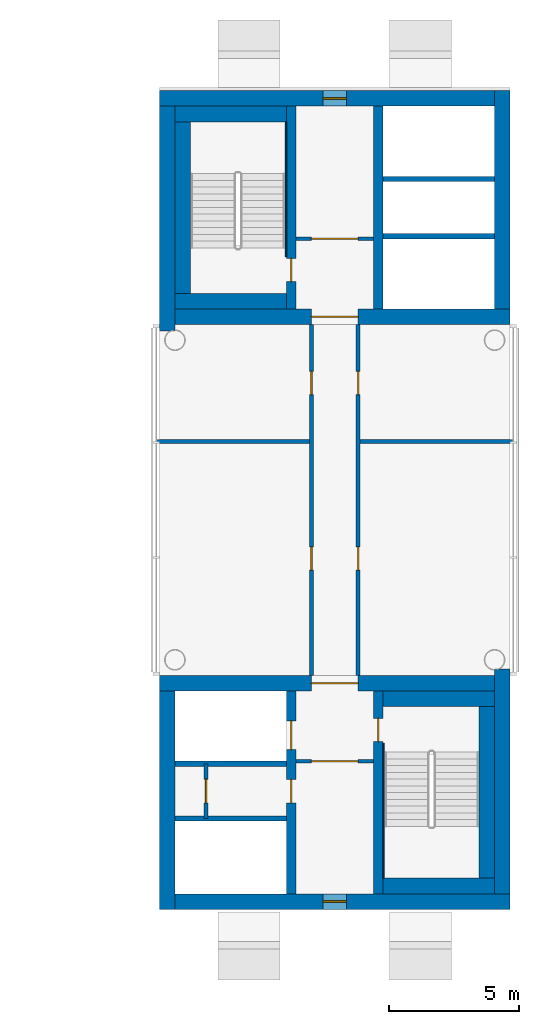
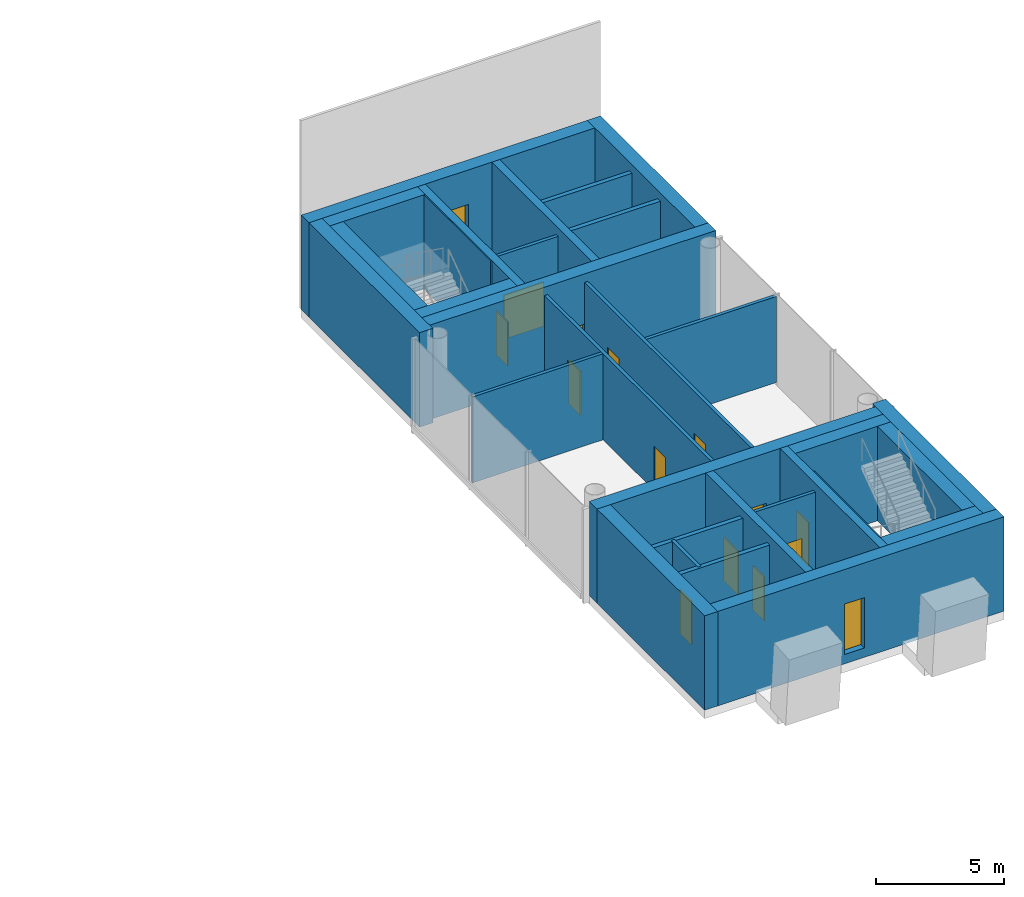
# One storey, part 6 of 11: 31 walls, 13 doors, 2 windows, 15 openings.
"""IFC4 building model written with IfcOpenShell, lengths in metres."""

from ifc_helpers import new_model, si_unit, direction, frame, frame_2d, origin, place, context, subcontext, project, spatial, rectangle, extrude, material, layer, layer_set, type_object, element, fill, save


model = new_model("IFC4")

# Units and contexts
model_context = context("Model", 3, precision=1e-05, world=origin(), true_north=direction((0.0, 1.0)))
body_context = subcontext(model_context, "Body", "Model", "MODEL_VIEW")
ifc_project = project(units=[si_unit("LENGTHUNIT", "METRE"), si_unit("AREAUNIT", "SQUARE_METRE"), si_unit("VOLUMEUNIT", "CUBIC_METRE"), si_unit("PLANEANGLEUNIT", "RADIAN"), si_unit("MASSUNIT", "GRAM", prefix="KILO")], contexts=[model_context])

# Site, building, storey
site_placement = place(None, origin())
site = spatial("IfcSite", under=ifc_project, at=site_placement, CompositionType="ELEMENT")
building_placement = place(site_placement, origin())
building = spatial("IfcBuilding", under=site, at=building_placement, Name="Ipe Terrace Towers", CompositionType="ELEMENT")
storey_placement = place(building_placement, frame((0.0, 0.0, 251.39990234375)))
storey = spatial("IfcBuildingStorey", under=building, at=storey_placement, Name="L69", CompositionType="ELEMENT", Elevation=251.39990234375)

# Wall, opening, door
ifc_material_1 = material(Name="Gypsum board partition", Category="plasterboard")
ifc_layer_1 = layer(ifc_material_1, 0.14990234375)
ifc_layer_set_1 = layer_set([ifc_layer_1], Name="Gypsum board partition 150 mm")
wall_type_1 = type_object("IfcWallType", Name="Gypsum board partition 150 mm", PredefinedType="PARTITIONING", material=ifc_layer_set_1)
wall_1_placement = place(storey_placement, frame((37.5, 10.050048828125, 0.0), z_axis=(0.0, 0.0, 1.0), x_axis=(-1.0, 0.0, 0.0)))
wall_1 = element("IfcWall", 1, at=wall_1_placement, inside=storey, type_object=wall_type_1, Name="Gypsum board partition T2 L69 t2c1-lobby-wall", PredefinedType="PARTITIONING", context=body_context, shape_type="SweptSolid", body=[
    extrude(rectangle(XDim=3.0, YDim=0.14990234375, at=frame_2d((1.5, 0.0))), origin(), (0.0, 0.0, 1.0), 4.10009765625),
])
opening_1_placement = place(wall_1_placement, frame((0.60009765625, 0.0, 0.0)))
opening_1 = element("IfcOpeningElement", 2, at=opening_1_placement, cuts=wall_1, Name="Opening T2C1-VD", PredefinedType="OPENING", context=body_context, shape_type="SweptSolid", body=[
    extrude(rectangle(XDim=1.800048828125, YDim=2.10009765625, at=frame_2d((0.89990234375, 1.050048828125))), frame((0.0, 0.0849609375, 0.0), z_axis=(0.0, -1.0, 0.0), x_axis=(1.0, 0.0, 0.0)), (0.0, 0.0, 1.0), 0.169921875),
])
ifc_material_2 = material(Name="Fire-rated timber door leaf", Category="wood")
door_type_1 = type_object("IfcDoorType", Name="Lobby door 1800 x 2100 FD60", OperationType="NOTDEFINED", PredefinedType="DOOR", material=ifc_material_2)
door_1_placement = place(opening_1_placement, origin())
door_1 = element("IfcDoor", 3, at=door_1_placement, inside=storey, type_object=door_type_1, Name="Lobby door T2C1-VD", OperationType="SINGLE_SWING_LEFT", OverallHeight=2.10009765625, OverallWidth=1.800048828125, PredefinedType="DOOR", context=body_context, shape_type="SweptSolid", body=[
    extrude(rectangle(XDim=1.800048828125, YDim=2.10009765625, at=frame_2d((0.89990234375, 1.050048828125))), frame((0.0, 0.02490234375, 0.0), z_axis=(0.0, -1.0, 0.0), x_axis=(1.0, 0.0, 0.0)), (0.0, 0.0, 1.0), 0.050048828125),
])
fill(opening_1, door_1)

wall_2_placement = place(storey_placement, frame((34.5, -10.050048828125, 0.0), z_axis=(0.0, 0.0, 1.0), x_axis=(1.0, 0.0, 0.0)))
wall_2 = element("IfcWall", 4, at=wall_2_placement, inside=storey, type_object=wall_type_1, Name="Gypsum board partition T2 L69 t2c2-lobby-wall", PredefinedType="PARTITIONING", context=body_context, shape_type="SweptSolid", body=[
    extrude(rectangle(XDim=3.0, YDim=0.14990234375, at=frame_2d((1.5, 0.0))), origin(), (0.0, 0.0, 1.0), 4.10009765625),
])
opening_2_placement = place(wall_2_placement, frame((0.60009765625, 0.0, 0.0)))
opening_2 = element("IfcOpeningElement", 5, at=opening_2_placement, cuts=wall_2, Name="Opening T2C2-VD", PredefinedType="OPENING", context=body_context, shape_type="SweptSolid", body=[
    extrude(rectangle(XDim=1.800048828125, YDim=2.10009765625, at=frame_2d((0.89990234375, 1.050048828125))), frame((0.0, 0.0849609375, 0.0), z_axis=(0.0, -1.0, 0.0), x_axis=(1.0, 0.0, 0.0)), (0.0, 0.0, 1.0), 0.169921875),
])
door_2_placement = place(opening_2_placement, origin())
door_2 = element("IfcDoor", 6, at=door_2_placement, inside=storey, type_object=door_type_1, Name="Lobby door T2C2-VD", OperationType="SINGLE_SWING_LEFT", OverallHeight=2.10009765625, OverallWidth=1.800048828125, PredefinedType="DOOR", context=body_context, shape_type="SweptSolid", body=[
    extrude(rectangle(XDim=1.800048828125, YDim=2.10009765625, at=frame_2d((0.89990234375, 1.050048828125))), frame((0.0, 0.02490234375, 0.0), z_axis=(0.0, -1.0, 0.0), x_axis=(1.0, 0.0, 0.0)), (0.0, 0.0, 1.0), 0.050048828125),
])
fill(opening_2, door_2)

wall_3_placement = place(storey_placement, frame((31.050048828125, -10.14990234375, 0.0), z_axis=(0.0, 0.0, 1.0), x_axis=(0.0, -1.0, 0.0)))
wall_3 = element("IfcWall", 7, at=wall_3_placement, inside=storey, type_object=wall_type_1, Name="Gypsum board partition T2 L69 t2c2-q-back", PredefinedType="PARTITIONING", context=body_context, shape_type="SweptSolid", body=[
    extrude(rectangle(XDim=2.10009765625, YDim=0.14990234375, at=frame_2d((1.050048828125, 0.0))), origin(), (0.0, 0.0, 1.0), 4.10009765625),
])
opening_3_placement = place(wall_3_placement, frame((0.60009765625, 0.0, 0.0)))
opening_3 = element("IfcOpeningElement", 8, at=opening_3_placement, cuts=wall_3, Name="Opening T2C2-RB", PredefinedType="OPENING", context=body_context, shape_type="SweptSolid", body=[
    extrude(rectangle(XDim=0.89990234375, YDim=2.10009765625, at=frame_2d((0.449951171875, 1.050048828125))), frame((0.0, 0.0849609375, 0.0), z_axis=(0.0, -1.0, 0.0), x_axis=(1.0, 0.0, 0.0)), (0.0, 0.0, 1.0), 0.169921875),
])
ifc_material_3 = material(Name="Fire-rated timber door leaf", Category="wood")
door_type_2 = type_object("IfcDoorType", Name="Service door 900 x 2100 FD60", OperationType="NOTDEFINED", PredefinedType="DOOR", material=ifc_material_3)
door_3_placement = place(opening_3_placement, origin())
door_3 = element("IfcDoor", 9, at=door_3_placement, inside=storey, type_object=door_type_2, Name="Service door T2C2-RB", OperationType="SINGLE_SWING_LEFT", OverallHeight=2.10009765625, OverallWidth=0.89990234375, PredefinedType="DOOR", context=body_context, shape_type="SweptSolid", body=[
    extrude(rectangle(XDim=0.89990234375, YDim=2.10009765625, at=frame_2d((0.449951171875, 1.050048828125))), frame((0.0, 0.02490234375, 0.0), z_axis=(0.0, -1.0, 0.0), x_axis=(1.0, 0.0, 0.0)), (0.0, 0.0, 1.0), 0.050048828125),
])
fill(opening_3, door_3)

# Wall, openings, doors
wall_4_placement = place(storey_placement, frame((35.10009765625, -6.75, 0.0), z_axis=(0.0, 0.0, 1.0), x_axis=(0.0, 1.0, 0.0)))
wall_4 = element("IfcWall", 10, at=wall_4_placement, inside=storey, type_object=wall_type_1, Name="Gypsum board partition T2 L69 sp-hub-wp", PredefinedType="PARTITIONING", context=body_context, shape_type="SweptSolid", body=[
    extrude(rectangle(XDim=13.5, YDim=0.14990234375, at=frame_2d((6.75, 0.0))), origin(), (0.0, 0.0, 1.0), 4.10009765625),
])
opening_4_placement = place(wall_4_placement, frame((4.050048828125, 0.0, 0.0)))
opening_4 = element("IfcOpeningElement", 11, at=opening_4_placement, cuts=wall_4, Name="Opening T2-SP-HP1", PredefinedType="OPENING", context=body_context, shape_type="SweptSolid", body=[
    extrude(rectangle(XDim=0.89990234375, YDim=2.10009765625, at=frame_2d((0.449951171875, 1.050048828125))), frame((0.0, 0.0849609375, 0.0), z_axis=(0.0, -1.0, 0.0), x_axis=(1.0, 0.0, 0.0)), (0.0, 0.0, 1.0), 0.169921875),
])
opening_5_placement = place(wall_4_placement, frame((10.800048828125, 0.0, 0.0)))
opening_5 = element("IfcOpeningElement", 12, at=opening_5_placement, cuts=wall_4, Name="Opening T2-SP-HP2", PredefinedType="OPENING", context=body_context, shape_type="SweptSolid", body=[
    extrude(rectangle(XDim=0.89990234375, YDim=2.10009765625, at=frame_2d((0.449951171875, 1.050048828125))), frame((0.0, 0.0849609375, 0.0), z_axis=(0.0, -1.0, 0.0), x_axis=(1.0, 0.0, 0.0)), (0.0, 0.0, 1.0), 0.169921875),
])
door_4_placement = place(opening_4_placement, origin())
door_4 = element("IfcDoor", 13, at=door_4_placement, inside=storey, type_object=door_type_2, Name="Service door T2-SP-HP1", OperationType="SINGLE_SWING_RIGHT", OverallHeight=2.10009765625, OverallWidth=0.89990234375, PredefinedType="DOOR", context=body_context, shape_type="SweptSolid", body=[
    extrude(rectangle(XDim=0.89990234375, YDim=2.10009765625, at=frame_2d((0.449951171875, 1.050048828125))), frame((0.0, 0.02490234375, 0.0), z_axis=(0.0, -1.0, 0.0), x_axis=(1.0, 0.0, 0.0)), (0.0, 0.0, 1.0), 0.050048828125),
])
fill(opening_4, door_4)
door_5_placement = place(opening_5_placement, origin())
door_5 = element("IfcDoor", 14, at=door_5_placement, inside=storey, type_object=door_type_2, Name="Service door T2-SP-HP2", OperationType="SINGLE_SWING_LEFT", OverallHeight=2.10009765625, OverallWidth=0.89990234375, PredefinedType="DOOR", context=body_context, shape_type="SweptSolid", body=[
    extrude(rectangle(XDim=0.89990234375, YDim=2.10009765625, at=frame_2d((0.449951171875, 1.050048828125))), frame((0.0, 0.02490234375, 0.0), z_axis=(0.0, -1.0, 0.0), x_axis=(1.0, 0.0, 0.0)), (0.0, 0.0, 1.0), 0.050048828125),
])
fill(opening_5, door_5)

# Wall
wall_5_placement = place(storey_placement, frame((35.02490234375, 2.25, 0.0), z_axis=(0.0, 0.0, 1.0), x_axis=(-1.0, 0.0, 0.0)))
element("IfcWall", 15, at=wall_5_placement, inside=storey, type_object=wall_type_1, Name="Gypsum board partition T2 L69 sp-hub-dp", PredefinedType="PARTITIONING", context=body_context, shape_type="SweptSolid", body=[
    extrude(rectangle(XDim=5.875, YDim=0.14990234375, at=frame_2d((2.9375, 0.0))), origin(), (0.0, 0.0, 1.0), 4.10009765625),
])

# Wall, openings, doors
wall_6_placement = place(storey_placement, frame((36.89990234375, -6.75, 0.0), z_axis=(0.0, 0.0, 1.0), x_axis=(0.0, 1.0, 0.0)))
wall_6 = element("IfcWall", 16, at=wall_6_placement, inside=storey, type_object=wall_type_1, Name="Gypsum board partition T2 L69 sp-hub-wm", PredefinedType="PARTITIONING", context=body_context, shape_type="SweptSolid", body=[
    extrude(rectangle(XDim=13.5, YDim=0.14990234375, at=frame_2d((6.75, 0.0))), origin(), (0.0, 0.0, 1.0), 4.10009765625),
])
opening_6_placement = place(wall_6_placement, frame((4.050048828125, 0.0, 0.0)))
opening_6 = element("IfcOpeningElement", 17, at=opening_6_placement, cuts=wall_6, Name="Opening T2-SP-HM1", PredefinedType="OPENING", context=body_context, shape_type="SweptSolid", body=[
    extrude(rectangle(XDim=0.89990234375, YDim=2.10009765625, at=frame_2d((0.449951171875, 1.050048828125))), frame((0.0, 0.0849609375, 0.0), z_axis=(0.0, -1.0, 0.0), x_axis=(1.0, 0.0, 0.0)), (0.0, 0.0, 1.0), 0.169921875),
])
opening_7_placement = place(wall_6_placement, frame((10.800048828125, 0.0, 0.0)))
opening_7 = element("IfcOpeningElement", 18, at=opening_7_placement, cuts=wall_6, Name="Opening T2-SP-HM2", PredefinedType="OPENING", context=body_context, shape_type="SweptSolid", body=[
    extrude(rectangle(XDim=0.89990234375, YDim=2.10009765625, at=frame_2d((0.449951171875, 1.050048828125))), frame((0.0, 0.0849609375, 0.0), z_axis=(0.0, -1.0, 0.0), x_axis=(1.0, 0.0, 0.0)), (0.0, 0.0, 1.0), 0.169921875),
])
door_6_placement = place(opening_6_placement, origin())
door_6 = element("IfcDoor", 19, at=door_6_placement, inside=storey, type_object=door_type_2, Name="Service door T2-SP-HM1", OperationType="SINGLE_SWING_LEFT", OverallHeight=2.10009765625, OverallWidth=0.89990234375, PredefinedType="DOOR", context=body_context, shape_type="SweptSolid", body=[
    extrude(rectangle(XDim=0.89990234375, YDim=2.10009765625, at=frame_2d((0.449951171875, 1.050048828125))), frame((0.0, 0.02490234375, 0.0), z_axis=(0.0, -1.0, 0.0), x_axis=(1.0, 0.0, 0.0)), (0.0, 0.0, 1.0), 0.050048828125),
])
fill(opening_6, door_6)
door_7_placement = place(opening_7_placement, origin())
door_7 = element("IfcDoor", 20, at=door_7_placement, inside=storey, type_object=door_type_2, Name="Service door T2-SP-HM2", OperationType="SINGLE_SWING_RIGHT", OverallHeight=2.10009765625, OverallWidth=0.89990234375, PredefinedType="DOOR", context=body_context, shape_type="SweptSolid", body=[
    extrude(rectangle(XDim=0.89990234375, YDim=2.10009765625, at=frame_2d((0.449951171875, 1.050048828125))), frame((0.0, 0.02490234375, 0.0), z_axis=(0.0, -1.0, 0.0), x_axis=(1.0, 0.0, 0.0)), (0.0, 0.0, 1.0), 0.050048828125),
])
fill(opening_7, door_7)

# Walls
wall_7_placement = place(storey_placement, frame((36.97509765625, 2.25, 0.0), z_axis=(0.0, 0.0, 1.0), x_axis=(1.0, 0.0, 0.0)))
element("IfcWall", 21, at=wall_7_placement, inside=storey, type_object=wall_type_1, Name="Gypsum board partition T2 L69 sp-hub-dm", PredefinedType="PARTITIONING", context=body_context, shape_type="SweptSolid", body=[
    extrude(rectangle(XDim=5.875, YDim=0.14990234375, at=frame_2d((2.9375, 0.0))), origin(), (0.0, 0.0, 1.0), 4.10009765625),
])
ifc_material_4 = material(Name="Gypsum board party wall", Category="plasterboard")
ifc_layer_2 = layer(ifc_material_4, 0.199951171875)
ifc_layer_set_2 = layer_set([ifc_layer_2], Name="Gypsum board party wall 200 mm")
wall_type_2 = type_object("IfcWallType", Name="Gypsum board party wall 200 mm", PredefinedType="SOLIDWALL", material=ifc_layer_set_2)
for number, where, z_axis, x_axis, name in (
    (22, (42.14990234375, 10.14990234375, 0.0), (0.0, 0.0, 1.0), (-1.0, 0.0, 0.0), "Gypsum board party wall T2 L69 t2c1-shaft-div1"),
    (23, (42.14990234375, 12.35009765625, 0.0), (0.0, 0.0, 1.0), (-1.0, 0.0, 0.0), "Gypsum board party wall T2 L69 t2c1-shaft-div2"),
    (24, (29.85009765625, -12.25, 0.0), (0.0, 0.0, 1.0), (1.0, 0.0, 0.0), "Gypsum board party wall T2 L69 t2c2-shaft-div2"),
    (25, (29.85009765625, -10.14990234375, 0.0), (0.0, 0.0, 1.0), (1.0, 0.0, 0.0), "Gypsum board party wall T2 L69 t2c2-shaft-div1"),
):
    element("IfcWall", number, at=place(storey_placement, frame(where, z_axis=z_axis, x_axis=x_axis)), inside=storey, type_object=wall_type_2, Name=name, PredefinedType="SOLIDWALL", context=body_context, shape_type="SweptSolid", body=[
        extrude(rectangle(XDim=4.2998046875, YDim=0.199951171875, at=frame_2d((2.14990234375, 0.0))), origin(), (0.0, 0.0, 1.0), 4.10009765625),
    ])

# Wall, opening, door
ifc_material_5 = material(Name="Concrete C40/50", Category="concrete")
ifc_layer_3 = layer(ifc_material_5, 0.35009765625)
ifc_layer_set_3 = layer_set([ifc_layer_3], Name="RW350 CORE SPINE WALL 350 C40-50")
wall_type_3 = type_object("IfcWallType", Name="RW350 CORE SPINE WALL 350 C40-50", PredefinedType="SHEAR", material=ifc_layer_set_3)
wall_8_placement = place(storey_placement, frame((34.324951171875, 7.35009765625, 0.0), z_axis=(0.0, 0.0, 1.0), x_axis=(0.0, 1.0, 0.0)))
wall_8 = element("IfcWall", 26, at=wall_8_placement, inside=storey, type_object=wall_type_3, Name="Core spine wall T2-C1-Z4-SW1", PredefinedType="SHEAR", context=body_context, shape_type="SweptSolid", body=[
    extrude(rectangle(XDim=7.7998046875, YDim=0.35009765625, at=frame_2d((3.89990234375, 0.0))), origin(), (0.0, 0.0, 1.0), 4.5),
])
opening_8_placement = place(wall_8_placement, frame((1.050048828125, 0.0, 0.0)))
opening_8 = element("IfcOpeningElement", 27, at=opening_8_placement, cuts=wall_8, Name="Opening T2C1-SD", PredefinedType="OPENING", context=body_context, shape_type="SweptSolid", body=[
    extrude(rectangle(XDim=0.89990234375, YDim=2.10009765625, at=frame_2d((0.449951171875, 1.050048828125))), frame((0.0, 0.18505859375, 0.0), z_axis=(0.0, -1.0, 0.0), x_axis=(1.0, 0.0, 0.0)), (0.0, 0.0, 1.0), 0.3701171875),
])
ifc_material_6 = material(Name="Fire-rated timber door leaf", Category="wood")
door_type_3 = type_object("IfcDoorType", Name="Stair door 900 x 2100 FD60", OperationType="NOTDEFINED", PredefinedType="DOOR", material=ifc_material_6)
door_8_placement = place(opening_8_placement, origin())
door_8 = element("IfcDoor", 28, at=door_8_placement, inside=storey, type_object=door_type_3, Name="Stair door T2C1-SD", OperationType="SINGLE_SWING_LEFT", OverallHeight=2.10009765625, OverallWidth=0.89990234375, PredefinedType="DOOR", context=body_context, shape_type="SweptSolid", body=[
    extrude(rectangle(XDim=0.89990234375, YDim=2.10009765625, at=frame_2d((0.449951171875, 1.050048828125))), frame((0.0, 0.02490234375, 0.0), z_axis=(0.0, -1.0, 0.0), x_axis=(1.0, 0.0, 0.0)), (0.0, 0.0, 1.0), 0.050048828125),
])
fill(opening_8, door_8)

# Wall
wall_9_placement = place(storey_placement, frame((37.675048828125, 7.35009765625, 0.0), z_axis=(0.0, 0.0, 1.0), x_axis=(0.0, 1.0, 0.0)))
element("IfcWall", 29, at=wall_9_placement, inside=storey, type_object=wall_type_3, Name="Core spine wall T2-C1-Z4-SW2", PredefinedType="SHEAR", context=body_context, shape_type="SweptSolid", body=[
    extrude(rectangle(XDim=7.7998046875, YDim=0.35009765625, at=frame_2d((3.89990234375, 0.0))), origin(), (0.0, 0.0, 1.0), 4.5),
])

# Wall, openings, doors
wall_10_placement = place(storey_placement, frame((34.324951171875, -15.14990234375, 0.0), z_axis=(0.0, 0.0, 1.0), x_axis=(0.0, 1.0, 0.0)))
wall_10 = element("IfcWall", 30, at=wall_10_placement, inside=storey, type_object=wall_type_3, Name="Core spine wall T2-C2-Z4-SW1", PredefinedType="SHEAR", context=body_context, shape_type="SweptSolid", body=[
    extrude(rectangle(XDim=7.7998046875, YDim=0.35009765625, at=frame_2d((3.89990234375, 0.0))), origin(), (0.0, 0.0, 1.0), 4.5),
])
opening_9_placement = place(wall_10_placement, frame((5.550048828125, 0.0, 0.0)))
opening_9 = element("IfcOpeningElement", 31, at=opening_9_placement, cuts=wall_10, Name="Opening T2C2-LD1", PredefinedType="OPENING", context=body_context, shape_type="SweptSolid", body=[
    extrude(rectangle(XDim=1.10009765625, YDim=2.10009765625, at=frame_2d((0.550048828125, 1.050048828125))), frame((0.0, 0.18505859375, 0.0), z_axis=(0.0, -1.0, 0.0), x_axis=(1.0, 0.0, 0.0)), (0.0, 0.0, 1.0), 0.3701171875),
])
opening_10_placement = place(wall_10_placement, frame((3.5, 0.0, 0.0)))
opening_10 = element("IfcOpeningElement", 32, at=opening_10_placement, cuts=wall_10, Name="Opening T2C2-R1", PredefinedType="OPENING", context=body_context, shape_type="SweptSolid", body=[
    extrude(rectangle(XDim=0.89990234375, YDim=2.10009765625, at=frame_2d((0.449951171875, 1.050048828125))), frame((0.0, 0.18505859375, 0.0), z_axis=(0.0, -1.0, 0.0), x_axis=(1.0, 0.0, 0.0)), (0.0, 0.0, 1.0), 0.3701171875),
])
ifc_material_7 = material(Name="Fire-rated timber door leaf", Category="wood")
door_type_4 = type_object("IfcDoorType", Name="Sliding door 1100 x 2100 FD60", OperationType="SLIDING_TO_LEFT", PredefinedType="DOOR", material=ifc_material_7)
door_9_placement = place(opening_9_placement, origin())
door_9 = element("IfcDoor", 33, at=door_9_placement, inside=storey, type_object=door_type_4, Name="Sliding door T2C2-LD1", OperationType="SLIDING_TO_LEFT", OverallHeight=2.10009765625, OverallWidth=1.10009765625, PredefinedType="DOOR", context=body_context, shape_type="SweptSolid", body=[
    extrude(rectangle(XDim=1.10009765625, YDim=2.10009765625, at=frame_2d((0.550048828125, 1.050048828125))), frame((0.0, 0.02490234375, 0.0), z_axis=(0.0, -1.0, 0.0), x_axis=(1.0, 0.0, 0.0)), (0.0, 0.0, 1.0), 0.050048828125),
])
fill(opening_9, door_9)
ifc_material_8 = material(Name="Timber door leaf", Category="wood")
door_type_5 = type_object("IfcDoorType", Name="Store door 900 x 2100", OperationType="NOTDEFINED", PredefinedType="DOOR", material=ifc_material_8)
door_10_placement = place(opening_10_placement, origin())
door_10 = element("IfcDoor", 34, at=door_10_placement, inside=storey, type_object=door_type_5, Name="Store door T2C2-R1", OperationType="SINGLE_SWING_LEFT", OverallHeight=2.10009765625, OverallWidth=0.89990234375, PredefinedType="DOOR", context=body_context, shape_type="SweptSolid", body=[
    extrude(rectangle(XDim=0.89990234375, YDim=2.10009765625, at=frame_2d((0.449951171875, 1.050048828125))), frame((0.0, 0.02490234375, 0.0), z_axis=(0.0, -1.0, 0.0), x_axis=(1.0, 0.0, 0.0)), (0.0, 0.0, 1.0), 0.050048828125),
])
fill(opening_10, door_10)

# Wall, opening, door
wall_11_placement = place(storey_placement, frame((37.675048828125, -15.14990234375, 0.0), z_axis=(0.0, 0.0, 1.0), x_axis=(0.0, 1.0, 0.0)))
wall_11 = element("IfcWall", 35, at=wall_11_placement, inside=storey, type_object=wall_type_3, Name="Core spine wall T2-C2-Z4-SW2", PredefinedType="SHEAR", context=body_context, shape_type="SweptSolid", body=[
    extrude(rectangle(XDim=7.7998046875, YDim=0.35009765625, at=frame_2d((3.89990234375, 0.0))), origin(), (0.0, 0.0, 1.0), 4.5),
])
opening_11_placement = place(wall_11_placement, frame((5.85009765625, 0.0, 0.0)))
opening_11 = element("IfcOpeningElement", 36, at=opening_11_placement, cuts=wall_11, Name="Opening T2C2-SD", PredefinedType="OPENING", context=body_context, shape_type="SweptSolid", body=[
    extrude(rectangle(XDim=0.89990234375, YDim=2.10009765625, at=frame_2d((0.449951171875, 1.050048828125))), frame((0.0, 0.18505859375, 0.0), z_axis=(0.0, -1.0, 0.0), x_axis=(1.0, 0.0, 0.0)), (0.0, 0.0, 1.0), 0.3701171875),
])
door_11_placement = place(opening_11_placement, origin())
door_11 = element("IfcDoor", 37, at=door_11_placement, inside=storey, type_object=door_type_3, Name="Stair door T2C2-SD", OperationType="SINGLE_SWING_RIGHT", OverallHeight=2.10009765625, OverallWidth=0.89990234375, PredefinedType="DOOR", context=body_context, shape_type="SweptSolid", body=[
    extrude(rectangle(XDim=0.89990234375, YDim=2.10009765625, at=frame_2d((0.449951171875, 1.050048828125))), frame((0.0, 0.02490234375, 0.0), z_axis=(0.0, -1.0, 0.0), x_axis=(1.0, 0.0, 0.0)), (0.0, 0.0, 1.0), 0.050048828125),
])
fill(opening_11, door_11)

# Walls
ifc_material_9 = material(Name="Concrete C40/50", Category="concrete")
ifc_layer_4 = layer(ifc_material_9, 0.050048828125)
ifc_layer_set_4 = layer_set([ifc_layer_4], Name="RW50 CORE INFILL WALL 50 C40-50")
wall_type_4 = type_object("IfcWallType", Name="RW50 CORE INFILL WALL 50 C40-50", PredefinedType="SHEAR", material=ifc_layer_set_4)
for number, where, z_axis, x_axis, name in (
    (38, (34.125, 9.35009765625, 0.0), (0.0, 0.0, 1.0), (0.0, 1.0, 0.0), "Core infill wall T2-C1-spine-b"),
    (39, (37.875, -9.35009765625, 0.0), (0.0, 0.0, 1.0), (0.0, -1.0, 0.0), "Core infill wall T2-C2-spine-b"),
):
    element("IfcWall", number, at=place(storey_placement, frame(where, z_axis=z_axis, x_axis=x_axis)), inside=storey, type_object=wall_type_4, Name=name, PredefinedType="SHEAR", context=body_context, shape_type="SweptSolid", body=[
        extrude(rectangle(XDim=5.199951171875, YDim=0.050048828125, at=frame_2d((2.60009765625, 0.0))), origin(), (0.0, 0.0, 1.0), 4.5),
    ])
ifc_material_10 = material(Name="Concrete C40/50", Category="concrete")
ifc_layer_5 = layer(ifc_material_10, 0.60009765625)
ifc_layer_set_5 = layer_set([ifc_layer_5], Name="RW600 CORE INFILL WALL 600 C40-50")
wall_type_5 = type_object("IfcWallType", Name="RW600 CORE INFILL WALL 600 C40-50", PredefinedType="SHEAR", material=ifc_layer_set_5)
wall_12_placement = place(storey_placement, frame((34.14990234375, 14.85009765625, 0.0), z_axis=(0.0, 0.0, 1.0), x_axis=(-1.0, 0.0, 0.0)))
element("IfcWall", 40, at=wall_12_placement, inside=storey, type_object=wall_type_5, Name="Core infill wall T2-C1-far", PredefinedType="SHEAR", context=body_context, shape_type="SweptSolid", body=[
    extrude(rectangle(XDim=4.2998046875, YDim=0.60009765625, at=frame_2d((2.14990234375, 0.0))), origin(), (0.0, 0.0, 1.0), 4.5),
])
wall_13_placement = place(storey_placement, frame((30.14990234375, 7.949951171875, 0.0), z_axis=(0.0, 0.0, 1.0), x_axis=(0.0, 1.0, 0.0)))
element("IfcWall", 41, at=wall_13_placement, inside=storey, type_object=wall_type_5, Name="Core infill wall T2-C1-back", PredefinedType="SHEAR", context=body_context, shape_type="SweptSolid", body=[
    extrude(rectangle(XDim=6.60009765625, YDim=0.60009765625, at=frame_2d((3.300048828125, 0.0))), origin(), (0.0, 0.0, 1.0), 4.5),
])
for number, where, z_axis, x_axis, name in (
    (42, (34.14990234375, 7.64990234375, 0.0), (0.0, 0.0, 1.0), (-1.0, 0.0, 0.0), "Core infill wall T2-C1-near"),
    (43, (37.85009765625, -14.85009765625, 0.0), (0.0, 0.0, 1.0), (1.0, 0.0, 0.0), "Core infill wall T2-C2-far"),
):
    element("IfcWall", number, at=place(storey_placement, frame(where, z_axis=z_axis, x_axis=x_axis)), inside=storey, type_object=wall_type_5, Name=name, PredefinedType="SHEAR", context=body_context, shape_type="SweptSolid", body=[
        extrude(rectangle(XDim=4.2998046875, YDim=0.60009765625, at=frame_2d((2.14990234375, 0.0))), origin(), (0.0, 0.0, 1.0), 4.5),
    ])
wall_14_placement = place(storey_placement, frame((41.85009765625, -7.949951171875, 0.0), z_axis=(0.0, 0.0, 1.0), x_axis=(0.0, -1.0, 0.0)))
element("IfcWall", 44, at=wall_14_placement, inside=storey, type_object=wall_type_5, Name="Core infill wall T2-C2-back", PredefinedType="SHEAR", context=body_context, shape_type="SweptSolid", body=[
    extrude(rectangle(XDim=6.60009765625, YDim=0.60009765625, at=frame_2d((3.300048828125, 0.0))), origin(), (0.0, 0.0, 1.0), 4.5),
])
wall_15_placement = place(storey_placement, frame((37.85009765625, -7.64990234375, 0.0), z_axis=(0.0, 0.0, 1.0), x_axis=(1.0, 0.0, 0.0)))
element("IfcWall", 45, at=wall_15_placement, inside=storey, type_object=wall_type_5, Name="Core infill wall T2-C2-near", PredefinedType="SHEAR", context=body_context, shape_type="SweptSolid", body=[
    extrude(rectangle(XDim=4.2998046875, YDim=0.60009765625, at=frame_2d((2.14990234375, 0.0))), origin(), (0.0, 0.0, 1.0), 4.5),
])

# Wall, opening, door
ifc_material_11 = material(Name="Concrete C40/50", Category="concrete")
ifc_layer_6 = layer(ifc_material_11, 0.60009765625)
ifc_layer_set_6 = layer_set([ifc_layer_6], Name="RW600 CORE WALL 600 C40-50")
wall_type_6 = type_object("IfcWallType", Name="RW600 CORE WALL 600 C40-50", PredefinedType="SHEAR", material=ifc_layer_set_6)
wall_16_placement = place(storey_placement, frame((29.85009765625, 7.050048828125, 0.0), z_axis=(0.0, 0.0, 1.0), x_axis=(1.0, 0.0, 0.0)))
wall_16 = element("IfcWall", 46, at=wall_16_placement, inside=storey, type_object=wall_type_6, Name="Core wall T2-C1-Z4-W01", PredefinedType="SHEAR", context=body_context, shape_type="SweptSolid", body=[
    extrude(rectangle(XDim=12.89990234375, YDim=0.60009765625, at=frame_2d((6.449951171875, 0.0))), origin(), (0.0, 0.0, 1.0), 4.5),
])
opening_12_placement = place(wall_16_placement, frame((5.25, 0.0, 0.0)))
opening_12 = element("IfcOpeningElement", 47, at=opening_12_placement, cuts=wall_16, Name="Opening T2C1-ND", PredefinedType="OPENING", context=body_context, shape_type="SweptSolid", body=[
    extrude(rectangle(XDim=1.800048828125, YDim=2.10009765625, at=frame_2d((0.89990234375, 1.050048828125))), frame((0.0, 0.31005859375, 0.0), z_axis=(0.0, -1.0, 0.0), x_axis=(1.0, 0.0, 0.0)), (0.0, 0.0, 1.0), 0.6201171875),
])
ifc_material_12 = material(Name="Fire-rated timber door leaf", Category="wood")
door_type_6 = type_object("IfcDoorType", Name="Fire door 1800 x 2100 FD30S", OperationType="NOTDEFINED", PredefinedType="DOOR", material=ifc_material_12)
door_12_placement = place(opening_12_placement, origin())
door_12 = element("IfcDoor", 48, at=door_12_placement, inside=storey, type_object=door_type_6, Name="Fire door T2C1-ND", OperationType="SINGLE_SWING_LEFT", OverallHeight=2.10009765625, OverallWidth=1.800048828125, PredefinedType="DOOR", context=body_context, shape_type="SweptSolid", body=[
    extrude(rectangle(XDim=1.800048828125, YDim=2.10009765625, at=frame_2d((0.89990234375, 1.050048828125))), frame((0.0, 0.02490234375, 0.0), z_axis=(0.0, -1.0, 0.0), x_axis=(1.0, 0.0, 0.0)), (0.0, 0.0, 1.0), 0.050048828125),
])
fill(opening_12, door_12)

# Wall
wall_17_placement = place(storey_placement, frame((42.449951171875, 7.35009765625, 0.0), z_axis=(0.0, 0.0, 1.0), x_axis=(0.0, 1.0, 0.0)))
element("IfcWall", 49, at=wall_17_placement, inside=storey, type_object=wall_type_6, Name="Core wall T2-C1-Z4-W02", PredefinedType="SHEAR", context=body_context, shape_type="SweptSolid", body=[
    extrude(rectangle(XDim=8.39990234375, YDim=0.60009765625, at=frame_2d((4.199951171875, 0.0))), origin(), (0.0, 0.0, 1.0), 4.5),
])

# Wall, opening, window
wall_18_placement = place(storey_placement, frame((42.14990234375, 15.449951171875, 0.0), z_axis=(0.0, 0.0, 1.0), x_axis=(-1.0, 0.0, 0.0)))
wall_18 = element("IfcWall", 50, at=wall_18_placement, inside=storey, type_object=wall_type_6, Name="Core wall T2-C1-Z4-W03", PredefinedType="SHEAR", context=body_context, shape_type="SweptSolid", body=[
    extrude(rectangle(XDim=12.89990234375, YDim=0.60009765625, at=frame_2d((6.449951171875, 0.0))), origin(), (0.0, 0.0, 1.0), 4.5),
])
opening_13_placement = place(wall_18_placement, frame((5.699951171875, 0.0, 0.449951171875)))
opening_13 = element("IfcOpeningElement", 51, at=opening_13_placement, cuts=wall_18, Name="Opening T2-C1-W-01-L69", PredefinedType="OPENING", context=body_context, shape_type="SweptSolid", body=[
    extrude(rectangle(XDim=0.89990234375, YDim=2.39990234375, at=frame_2d((0.449951171875, 1.199951171875))), frame((0.0, 0.31005859375, 0.0), z_axis=(0.0, -1.0, 0.0), x_axis=(1.0, 0.0, 0.0)), (0.0, 0.0, 1.0), 0.6201171875),
])
ifc_material_13 = material(Name="Fire-resistant glazing EI 60", Category="glass")
window_type = type_object("IfcWindowType", Name="CORRIDOR END SLOT WINDOW 900 x 2400 EI 60", PartitioningType="SINGLE_PANEL", PredefinedType="WINDOW", material=ifc_material_13)
window_1_placement = place(opening_13_placement, origin())
window_1 = element("IfcWindow", 52, at=window_1_placement, inside=storey, type_object=window_type, Name="W-01 window", OverallHeight=2.39990234375, OverallWidth=0.89990234375, PartitioningType="SINGLE_PANEL", PredefinedType="WINDOW", context=body_context, shape_type="SweptSolid", body=[
    extrude(rectangle(XDim=0.89990234375, YDim=2.39990234375, at=frame_2d((0.449951171875, 1.199951171875))), frame((0.0, 0.030029296875, 0.0), z_axis=(0.0, -1.0, 0.0), x_axis=(1.0, 0.0, 0.0)), (0.0, 0.0, 1.0), 0.06005859375),
])
fill(opening_13, window_1)

# Wall
wall_19_placement = place(storey_placement, frame((29.550048828125, 15.14990234375, 0.0), z_axis=(0.0, 0.0, 1.0), x_axis=(0.0, -1.0, 0.0)))
element("IfcWall", 53, at=wall_19_placement, inside=storey, type_object=wall_type_6, Name="Core wall T2-C1-Z4-W04", PredefinedType="SHEAR", context=body_context, shape_type="SweptSolid", body=[
    extrude(rectangle(XDim=8.64794921875, YDim=0.60009765625, at=frame_2d((4.323974609375, 0.0))), origin(), (0.0, 0.0, 1.0), 4.5),
])

# Wall, opening, window
wall_20_placement = place(storey_placement, frame((29.85009765625, -15.449951171875, 0.0), z_axis=(0.0, 0.0, 1.0), x_axis=(1.0, 0.0, 0.0)))
wall_20 = element("IfcWall", 54, at=wall_20_placement, inside=storey, type_object=wall_type_6, Name="Core wall T2-C2-Z4-W01", PredefinedType="SHEAR", context=body_context, shape_type="SweptSolid", body=[
    extrude(rectangle(XDim=12.89990234375, YDim=0.60009765625, at=frame_2d((6.449951171875, 0.0))), origin(), (0.0, 0.0, 1.0), 4.5),
])
opening_14_placement = place(wall_20_placement, frame((5.699951171875, 0.0, 0.449951171875)))
opening_14 = element("IfcOpeningElement", 55, at=opening_14_placement, cuts=wall_20, Name="Opening T2-C2-W-01-L69", PredefinedType="OPENING", context=body_context, shape_type="SweptSolid", body=[
    extrude(rectangle(XDim=0.89990234375, YDim=2.39990234375, at=frame_2d((0.449951171875, 1.199951171875))), frame((0.0, 0.31005859375, 0.0), z_axis=(0.0, -1.0, 0.0), x_axis=(1.0, 0.0, 0.0)), (0.0, 0.0, 1.0), 0.6201171875),
])
window_2_placement = place(opening_14_placement, origin())
window_2 = element("IfcWindow", 56, at=window_2_placement, inside=storey, type_object=window_type, Name="W-01 window", OverallHeight=2.39990234375, OverallWidth=0.89990234375, PartitioningType="SINGLE_PANEL", PredefinedType="WINDOW", context=body_context, shape_type="SweptSolid", body=[
    extrude(rectangle(XDim=0.89990234375, YDim=2.39990234375, at=frame_2d((0.449951171875, 1.199951171875))), frame((0.0, 0.030029296875, 0.0), z_axis=(0.0, -1.0, 0.0), x_axis=(1.0, 0.0, 0.0)), (0.0, 0.0, 1.0), 0.06005859375),
])
fill(opening_14, window_2)

# Wall
wall_21_placement = place(storey_placement, frame((42.449951171875, -15.14990234375, 0.0), z_axis=(0.0, 0.0, 1.0), x_axis=(0.0, 1.0, 0.0)))
element("IfcWall", 57, at=wall_21_placement, inside=storey, type_object=wall_type_6, Name="Core wall T2-C2-Z4-W02", PredefinedType="SHEAR", context=body_context, shape_type="SweptSolid", body=[
    extrude(rectangle(XDim=8.64794921875, YDim=0.60009765625, at=frame_2d((4.323974609375, 0.0))), origin(), (0.0, 0.0, 1.0), 4.5),
])

# Wall, opening, door
wall_22_placement = place(storey_placement, frame((42.14990234375, -7.050048828125, 0.0), z_axis=(0.0, 0.0, 1.0), x_axis=(-1.0, 0.0, 0.0)))
wall_22 = element("IfcWall", 58, at=wall_22_placement, inside=storey, type_object=wall_type_6, Name="Core wall T2-C2-Z4-W03", PredefinedType="SHEAR", context=body_context, shape_type="SweptSolid", body=[
    extrude(rectangle(XDim=12.89990234375, YDim=0.60009765625, at=frame_2d((6.449951171875, 0.0))), origin(), (0.0, 0.0, 1.0), 4.5),
])
opening_15_placement = place(wall_22_placement, frame((5.25, 0.0, 0.0)))
opening_15 = element("IfcOpeningElement", 59, at=opening_15_placement, cuts=wall_22, Name="Opening T2C2-ND", PredefinedType="OPENING", context=body_context, shape_type="SweptSolid", body=[
    extrude(rectangle(XDim=1.800048828125, YDim=2.10009765625, at=frame_2d((0.89990234375, 1.050048828125))), frame((0.0, 0.31005859375, 0.0), z_axis=(0.0, -1.0, 0.0), x_axis=(1.0, 0.0, 0.0)), (0.0, 0.0, 1.0), 0.6201171875),
])
door_13_placement = place(opening_15_placement, origin())
door_13 = element("IfcDoor", 60, at=door_13_placement, inside=storey, type_object=door_type_6, Name="Fire door T2C2-ND", OperationType="SINGLE_SWING_LEFT", OverallHeight=2.10009765625, OverallWidth=1.800048828125, PredefinedType="DOOR", context=body_context, shape_type="SweptSolid", body=[
    extrude(rectangle(XDim=1.800048828125, YDim=2.10009765625, at=frame_2d((0.89990234375, 1.050048828125))), frame((0.0, 0.02490234375, 0.0), z_axis=(0.0, -1.0, 0.0), x_axis=(1.0, 0.0, 0.0)), (0.0, 0.0, 1.0), 0.050048828125),
])
fill(opening_15, door_13)

# Wall
wall_23_placement = place(storey_placement, frame((29.550048828125, -7.35009765625, 0.0), z_axis=(0.0, 0.0, 1.0), x_axis=(0.0, -1.0, 0.0)))
element("IfcWall", 61, at=wall_23_placement, inside=storey, type_object=wall_type_6, Name="Core wall T2-C2-Z4-W04", PredefinedType="SHEAR", context=body_context, shape_type="SweptSolid", body=[
    extrude(rectangle(XDim=8.39990234375, YDim=0.60009765625, at=frame_2d((4.199951171875, 0.0))), origin(), (0.0, 0.0, 1.0), 4.5),
])

save(model, "model.ifc")
